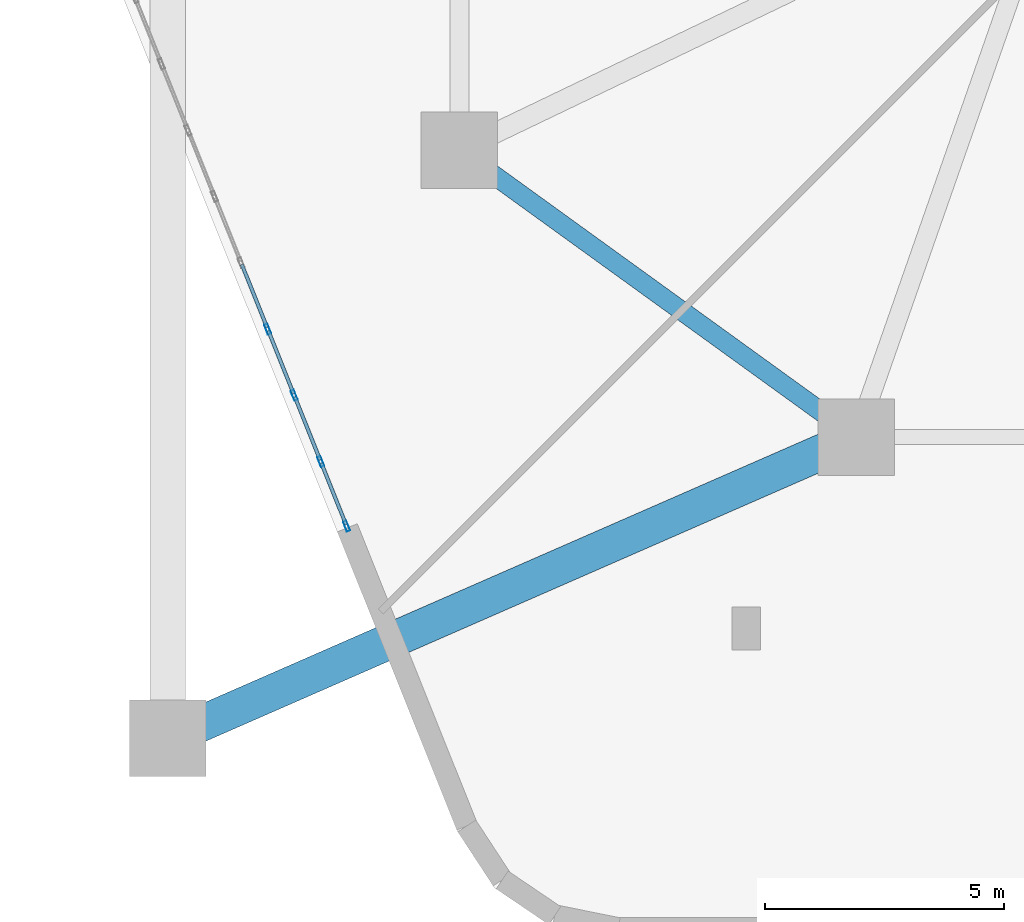
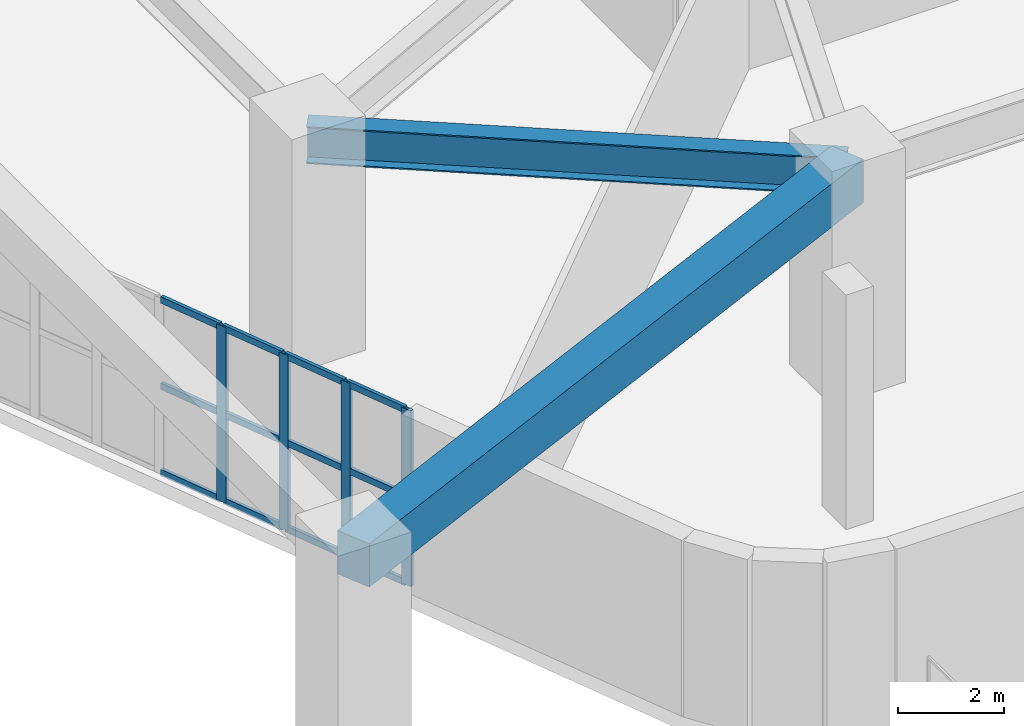
# One storey, part 2 of 34: 16 members, 2 beams, 1 element without a shape of its own.
"""IFC4 building model written with IfcOpenShell, lengths in metres."""

import ifcopenshell
import ifcopenshell.guid

model = None  # the IFC model being written
_history = None  # IfcOwnerHistory: only IFC2X3 demands one
_inside = {}  # id of a spatial element -> (the spatial element, [elements in it])
_under = {}  # id of a project, library or spatial element -> (it, [spatial elements below it])
_declared = {}  # id of a project -> (the project, [libraries it declares])
_typed = {}  # id of a type object -> (the type object, [elements of that type])
_made_of = {}  # id of a material, layer set ... -> (it, [elements and type objects made of it])


def new_model(schema):
    """Start an empty IFC model of exactly this schema.

    Asked for "IFC4X3", IfcOpenShell would pick the latest addendum, in which some entities
    have other attributes; the version numbers below select the first issue.
    IFC2X3 requires an IfcOwnerHistory on every rooted entity: one is made here for all.
    """
    global model, _history
    if schema == "IFC4X3":
        model = ifcopenshell.file(schema_version=(4, 3, 0, 0))
    else:
        model = ifcopenshell.file(schema=schema)
    _inside.clear()
    _under.clear()
    _declared.clear()
    _typed.clear()
    _made_of.clear()
    _history = None
    if model.schema == "IFC2X3":
        org = make("IfcOrganization", Name="unknown")
        user = make(
            "IfcPersonAndOrganization",
            ThePerson=make("IfcPerson", FamilyName="unknown"),
            TheOrganization=org,
        )
        app = make(
            "IfcApplication",
            ApplicationDeveloper=org,
            Version="unknown",
            ApplicationFullName="unknown",
            ApplicationIdentifier="unknown",
        )
        _history = make(
            "IfcOwnerHistory",
            OwningUser=user,
            OwningApplication=app,
            ChangeAction="ADDED",
            CreationDate=0,
        )
    return model


def make(cls, **values):
    """One entity of the class cls with the attributes given. An attribute that is None is left unset."""
    return model.create_entity(
        cls, **{name: value for name, value in values.items() if value is not None}
    )


def rooted(cls, **values):
    """An entity with a GlobalId (a new one), such as an element, a storey or a relation."""
    return make(cls, GlobalId=ifcopenshell.guid.new(), OwnerHistory=_history, **values)


def si_unit(unit_type, name, prefix=None):
    """IfcSIUnit, for example si_unit("LENGTHUNIT", "METRE", prefix="MILLI")."""
    return make("IfcSIUnit", UnitType=unit_type, Prefix=prefix, Name=name)


def assignment(units):
    """IfcUnitAssignment: the units of a project."""
    return None if units is None else make("IfcUnitAssignment", Units=units)


def point(xyz):
    """IfcCartesianPoint."""
    return None if xyz is None else make("IfcCartesianPoint", Coordinates=xyz)


def direction(xyz):
    """IfcDirection."""
    return None if xyz is None else make("IfcDirection", DirectionRatios=xyz)


def frame(location, z_axis=None, x_axis=None):
    """IfcAxis2Placement3D, a coordinate frame: its origin and axes. An axis left out is left unset."""
    return make(
        "IfcAxis2Placement3D",
        Location=point(location),
        Axis=direction(z_axis),
        RefDirection=direction(x_axis),
    )


def frame_2d(location, x_axis=None):
    """IfcAxis2Placement2D, a coordinate frame in the plane: its origin and x axis."""
    return make(
        "IfcAxis2Placement2D", Location=point(location), RefDirection=direction(x_axis)
    )


def origin():
    """The frame at (0, 0, 0) with its axes left unset."""
    return frame((0.0, 0.0, 0.0))


def origin_2d():
    """The frame at (0, 0) in the plane with its x axis left unset."""
    return frame_2d((0.0, 0.0))


def place(relative_to, where):
    """IfcLocalPlacement: puts the frame where relative to a parent placement (None: the world)."""
    return make(
        "IfcLocalPlacement", PlacementRelTo=relative_to, RelativePlacement=where
    )


def context(
    kind, dimensions, precision=None, world=None, true_north=None, identifier=None
):
    """IfcGeometricRepresentationContext, for example the 3D "Model" context."""
    return make(
        "IfcGeometricRepresentationContext",
        ContextIdentifier=identifier,
        ContextType=kind,
        CoordinateSpaceDimension=dimensions,
        Precision=precision,
        WorldCoordinateSystem=world,
        TrueNorth=true_north,
    )


def subcontext(parent, identifier, kind, view, scale=None):
    """IfcGeometricRepresentationSubContext, for example "Body" below "Model"."""
    return make(
        "IfcGeometricRepresentationSubContext",
        ContextIdentifier=identifier,
        ContextType=kind,
        ParentContext=parent,
        TargetScale=scale,
        TargetView=view,
    )


def project(units=None, contexts=None):
    """IfcProject with its units and contexts."""
    return rooted(
        "IfcProject",
        Name="project",
        RepresentationContexts=contexts,
        UnitsInContext=assignment(units),
    )


def spatial(cls, under=None, at=None, **own):
    """A site, building, storey or space (cls), placed at a placement, below another one or the project."""
    s = rooted(cls, ObjectPlacement=at, **own)
    if under is not None:
        _under.setdefault(under.id(), (under, []))[1].append(s)
    return s


def profile(cls, at=None, kind="AREA", **sizes):
    """A parametric profile (cls). Its sizes go by their IFC names, for example OverallWidth=200.0."""
    return make(cls, ProfileType=kind, Position=at, **sizes)


def rectangle(**sizes):
    """IfcRectangleProfileDef."""
    return profile("IfcRectangleProfileDef", **sizes)


def hollow_rectangle(**sizes):
    """IfcRectangleHollowProfileDef."""
    return profile("IfcRectangleHollowProfileDef", **sizes)


def i_section(**sizes):
    """IfcIShapeProfileDef."""
    return profile("IfcIShapeProfileDef", **sizes)


def extrude(swept, where, along, depth):
    """IfcExtrudedAreaSolid: the profile swept, set in the frame where, extruded along a direction by depth."""
    return make(
        "IfcExtrudedAreaSolid",
        SweptArea=swept,
        Position=where,
        ExtrudedDirection=direction(along),
        Depth=depth,
    )


def shape(context_of_items, identifier, shape_type, items):
    """IfcShapeRepresentation: the items that make up one representation, for example the "Body"."""
    return make(
        "IfcShapeRepresentation",
        ContextOfItems=context_of_items,
        RepresentationIdentifier=identifier,
        RepresentationType=shape_type,
        Items=items,
    )


def material(Name=None, Category=None):
    """IfcMaterial."""
    return make("IfcMaterial", Name=Name, Category=Category)


def layer(
    of_material, thickness, ventilated=None, Name=None, Category=None, Priority=None
):
    """IfcMaterialLayer: one layer of a wall or slab, of a material (None: an air gap)."""
    return make(
        "IfcMaterialLayer",
        Material=of_material,
        LayerThickness=thickness,
        IsVentilated=ventilated,
        Name=Name,
        Category=Category,
        Priority=Priority,
    )


def layer_set(layers, Name=None):
    """IfcMaterialLayerSet."""
    return make("IfcMaterialLayerSet", MaterialLayers=layers, LayerSetName=Name)


def material_profile(
    of_material, cross_section, Name=None, Category=None, Priority=None
):
    """IfcMaterialProfile: a cross section and its material."""
    return make(
        "IfcMaterialProfile",
        Name=Name,
        Material=of_material,
        Profile=cross_section,
        Priority=Priority,
        Category=Category,
    )


def profile_set(profiles, Name=None, composite=None):
    """IfcMaterialProfileSet."""
    return make(
        "IfcMaterialProfileSet",
        Name=Name,
        MaterialProfiles=profiles,
        CompositeProfile=composite,
    )


def made_of(thing, what):
    """Note that an element or type object is made of a material, layer set ...; save() writes the relation."""
    if what is not None:
        _made_of.setdefault(what.id(), (what, []))[1].append(thing)
    return thing


def type_object(cls, material=None, **own):
    """A type object (cls), such as IfcWallType, which elements share."""
    return made_of(rooted(cls, **own), material)


def element(
    cls,
    number,
    at=None,
    inside=None,
    cuts=None,
    type_object=None,
    material=None,
    context=None,
    identifier="Body",
    shape_type=None,
    held_by="IfcProductDefinitionShape",
    body=None,
    shapes=None,
    **own,
):
    """One element of the class cls, such as IfcWall. Its Tag is "e" and its number.

    at: its placement. inside: the storey or other place that contains it. cuts: it is an
    opening in that element (IfcRelVoidsElement). A single representation is given by context,
    identifier, shape_type and body (its items); several are given by shapes. held_by: the class
    of the entity that holds the representations. save() writes the other relations.
    """
    e = rooted(cls, Tag="e%d" % number, ObjectPlacement=at, **own)
    if body is not None:
        shapes = [shape(context, identifier, shape_type, body)]
    if shapes is not None:
        e.Representation = make(held_by, Representations=shapes)
    if inside is not None:
        _inside.setdefault(inside.id(), (inside, []))[1].append(e)
    if cuts is not None:
        rooted(
            "IfcRelVoidsElement", RelatingBuildingElement=cuts, RelatedOpeningElement=e
        )
    if type_object is not None:
        _typed.setdefault(type_object.id(), (type_object, []))[1].append(e)
    return made_of(e, material)


def aggregate(whole, parts):
    """IfcRelAggregates: a whole, such as a stair, and the parts it consists of."""
    return rooted("IfcRelAggregates", RelatingObject=whole, RelatedObjects=parts)


def save(model, path):
    """Write the relations noted so far, then the file.

    IfcRelAggregates (storeys below a building ...), IfcRelContainedInSpatialStructure (elements
    in a storey), IfcRelDefinesByType, IfcRelAssociatesMaterial and IfcRelDeclares: one each for
    every whole, place, type object, material and project.
    """
    for whole, parts in _under.values():
        aggregate(whole, parts)
    for where, things in _inside.values():
        rooted(
            "IfcRelContainedInSpatialStructure",
            RelatedElements=things,
            RelatingStructure=where,
        )
    for kind, things in _typed.values():
        rooted("IfcRelDefinesByType", RelatedObjects=things, RelatingType=kind)
    for what, things in _made_of.values():
        rooted("IfcRelAssociatesMaterial", RelatedObjects=things, RelatingMaterial=what)
    for by, libraries in _declared.values():
        rooted("IfcRelDeclares", RelatingContext=by, RelatedDefinitions=libraries)
    model.write(path)


model = new_model("IFC4")

# Units and contexts
model_context = context("Model", 3, precision=1e-05, world=origin(), true_north=direction((0.0, 1.0)))
body_context = subcontext(model_context, "Body", "Model", "MODEL_VIEW")
ifc_project = project(units=[si_unit("LENGTHUNIT", "METRE"), si_unit("AREAUNIT", "SQUARE_METRE"), si_unit("VOLUMEUNIT", "CUBIC_METRE"), si_unit("PLANEANGLEUNIT", "RADIAN"), si_unit("MASSUNIT", "GRAM", prefix="KILO")], contexts=[model_context])

# Site, building, storey
site_placement = place(None, origin())
site = spatial("IfcSite", under=ifc_project, at=site_placement, CompositionType="ELEMENT")
building_placement = place(site_placement, origin())
building = spatial("IfcBuilding", under=site, at=building_placement, Name="Kilnhurst Terrace Hotel", CompositionType="ELEMENT")
storey_placement = place(building_placement, frame((0.0, 0.0, 6.0)))
storey = spatial("IfcBuildingStorey", under=building, at=storey_placement, Name="L01", CompositionType="ELEMENT", Elevation=6.0)

# Beam
ifc_material_1 = material(Name="Steel ASTM A992 Grade 50", Category="steel")
ifc_material_profile_1 = material_profile(ifc_material_1, i_section(OverallWidth=0.39990234375, OverallDepth=0.85546875, WebThickness=0.018310546875, FlangeThickness=0.029296875, at=origin_2d()), Name="W33X201")
ifc_profile_set_1 = profile_set([ifc_material_profile_1], Name="Steel ASTM A992 Grade 50")
beam_type_1 = type_object("IfcBeamType", Name="BM-STL-W33X201", PredefinedType="BEAM", material=ifc_profile_set_1)
beam_1_placement = place(storey_placement, frame((-21.5, -13.5, 4.652099609375), z_axis=(0.810423314702, -0.585844732833, 0.0), x_axis=(0.585844732833, 0.810423314702, 0.0)))
element("IfcBeam", 1, at=beam_1_placement, inside=storey, type_object=beam_type_1, Name="L01 Podium Frame Beam 17", PredefinedType="BEAM", context=body_context, shape_type="SweptSolid", body=[
    extrude(i_section(OverallWidth=0.39990234375, OverallDepth=0.85546875, WebThickness=0.018310546875, FlangeThickness=0.029296875, at=origin_2d()), origin(), (0.0, 0.0, 1.0), 10.24169921875),
])

# Curtain wall, members
ifc_material_2 = material(Name="Anodized Aluminium Alloy 6063-T6 and Low-E Glass", Category="aluminium")
ifc_layer = layer(ifc_material_2, 0.219970703125, Name="Anodized Aluminium Alloy 6063-T6 and Low-E Glass")
ifc_layer_set = layer_set([ifc_layer], Name="Anodized Aluminium Alloy 6063-T6 and Low-E Glass")
curtain_wall_type = type_object("IfcCurtainWallType", Name="CW-POD-LOBBY", PredefinedType="NOTDEFINED", material=ifc_layer_set)
curtain_wall_placement = place(storey_placement, origin())
curtain_wall = element("IfcCurtainWall", 2, at=curtain_wall_placement, inside=storey, type_object=curtain_wall_type, Name="L01 Curtain Wall CW-L01-F6-1", PredefinedType="NOTDEFINED")
ifc_material_3 = material(Name="Extruded Aluminium Alloy 6063-T6", Category="aluminium")
ifc_material_profile_2 = material_profile(ifc_material_3, hollow_rectangle(XDim=0.074951171875, YDim=0.219970703125, WallThickness=0.00390625, at=origin_2d()), Name="CWM75X220")
ifc_profile_set_2 = profile_set([ifc_material_profile_2], Name="Extruded Aluminium Alloy 6063-T6")
member_type_1 = type_object("IfcMemberType", Name="MEM-CWM75X220", PredefinedType="MULLION", material=ifc_profile_set_2)
member_1_placement = place(storey_placement, frame((-25.51025390625, -17.240966796875, 0.0), z_axis=(0.0, 0.0, 1.0), x_axis=(0.928250672463, 0.371955224552, 0.0)))
member_1 = element("IfcMember", 3, at=member_1_placement, type_object=member_type_1, Name="CWL-1 mullion 7", PredefinedType="MULLION", context=body_context, shape_type="SweptSolid", body=[
    extrude(hollow_rectangle(XDim=0.074951171875, YDim=0.219970703125, WallThickness=0.00390625, at=origin_2d()), origin(), (0.0, 0.0, 1.0), 4.050048828125),
])
member_2_placement = place(storey_placement, frame((-24.955078125, -18.626708984375, 0.0), z_axis=(0.0, 0.0, 1.0), x_axis=(0.928250672463, 0.371955224552, 0.0)))
member_2 = element("IfcMember", 4, at=member_2_placement, type_object=member_type_1, Name="CWL-1 mullion 8", PredefinedType="MULLION", context=body_context, shape_type="SweptSolid", body=[
    extrude(hollow_rectangle(XDim=0.074951171875, YDim=0.219970703125, WallThickness=0.00390625, at=origin_2d()), origin(), (0.0, 0.0, 1.0), 4.050048828125),
])
member_3_placement = place(storey_placement, frame((-24.399658203125, -20.012451171875, 0.0), z_axis=(0.0, 0.0, 1.0), x_axis=(0.928250672463, 0.371955224552, 0.0)))
member_3 = element("IfcMember", 5, at=member_3_placement, type_object=member_type_1, Name="CWL-1 mullion 9", PredefinedType="MULLION", context=body_context, shape_type="SweptSolid", body=[
    extrude(hollow_rectangle(XDim=0.074951171875, YDim=0.219970703125, WallThickness=0.00390625, at=origin_2d()), origin(), (0.0, 0.0, 1.0), 4.050048828125),
])
member_4_placement = place(storey_placement, frame((-23.8583984375, -21.363525390625, 0.0), z_axis=(0.0, 0.0, 1.0), x_axis=(0.928250672463, 0.371955224552, 0.0)))
member_4 = element("IfcMember", 6, at=member_4_placement, type_object=member_type_1, Name="CWL-1 mullion 10", PredefinedType="MULLION", context=body_context, shape_type="SweptSolid", body=[
    extrude(hollow_rectangle(XDim=0.074951171875, YDim=0.219970703125, WallThickness=0.00390625, at=origin_2d()), origin(), (0.0, 0.0, 1.0), 4.050048828125),
])
ifc_material_profile_3 = material_profile(ifc_material_3, hollow_rectangle(XDim=0.074951171875, YDim=0.14990234375, WallThickness=0.00390625, at=origin_2d()), Name="CWT75X150")
ifc_profile_set_3 = profile_set([ifc_material_profile_3], Name="Extruded Aluminium Alloy 6063-T6")
member_type_2 = type_object("IfcMemberType", Name="MEM-CWT75X150", PredefinedType="USERDEFINED", material=ifc_profile_set_3)
member_5_placement = place(storey_placement, frame((-26.051513671875, -15.889892578125, 0.03759765625), z_axis=(0.371924989829, -0.928262787114, 0.0), x_axis=(0.928262787114, 0.371924989829, 0.0)))
member_5 = element("IfcMember", 7, at=member_5_placement, type_object=member_type_2, Name="CWL-1 transom 6.1", ObjectType="TRANSOM", PredefinedType="USERDEFINED", context=body_context, shape_type="SweptSolid", body=[
    extrude(hollow_rectangle(XDim=0.074951171875, YDim=0.14990234375, WallThickness=0.00390625, at=origin_2d()), origin(), (0.0, 0.0, 1.0), 1.41796875),
])
member_6_placement = place(storey_placement, frame((-26.051513671875, -15.889892578125, 2.02490234375), z_axis=(0.371924989829, -0.928262787114, 0.0), x_axis=(0.928262787114, 0.371924989829, 0.0)))
member_6 = element("IfcMember", 8, at=member_6_placement, type_object=member_type_2, Name="CWL-1 transom 6.2", ObjectType="TRANSOM", PredefinedType="USERDEFINED", context=body_context, shape_type="SweptSolid", body=[
    extrude(hollow_rectangle(XDim=0.074951171875, YDim=0.14990234375, WallThickness=0.00390625, at=origin_2d()), origin(), (0.0, 0.0, 1.0), 1.41796875),
])
member_7_placement = place(storey_placement, frame((-26.051513671875, -15.889892578125, 4.012451171875), z_axis=(0.371924989829, -0.928262787114, 0.0), x_axis=(0.928262787114, 0.371924989829, 0.0)))
member_7 = element("IfcMember", 9, at=member_7_placement, type_object=member_type_2, Name="CWL-1 transom 6.3", ObjectType="TRANSOM", PredefinedType="USERDEFINED", context=body_context, shape_type="SweptSolid", body=[
    extrude(hollow_rectangle(XDim=0.074951171875, YDim=0.14990234375, WallThickness=0.00390625, at=origin_2d()), origin(), (0.0, 0.0, 1.0), 1.41796875),
])
member_8_placement = place(storey_placement, frame((-25.496337890625, -17.27587890625, 0.03759765625), z_axis=(0.371924989829, -0.928262787114, 0.0), x_axis=(0.928262787114, 0.371924989829, 0.0)))
member_8 = element("IfcMember", 10, at=member_8_placement, type_object=member_type_2, Name="CWL-1 transom 7.1", ObjectType="TRANSOM", PredefinedType="USERDEFINED", context=body_context, shape_type="SweptSolid", body=[
    extrude(hollow_rectangle(XDim=0.074951171875, YDim=0.14990234375, WallThickness=0.00390625, at=origin_2d()), origin(), (0.0, 0.0, 1.0), 1.41796875),
])
member_9_placement = place(storey_placement, frame((-25.496337890625, -17.27587890625, 2.02490234375), z_axis=(0.371924989829, -0.928262787114, 0.0), x_axis=(0.928262787114, 0.371924989829, 0.0)))
member_9 = element("IfcMember", 11, at=member_9_placement, type_object=member_type_2, Name="CWL-1 transom 7.2", ObjectType="TRANSOM", PredefinedType="USERDEFINED", context=body_context, shape_type="SweptSolid", body=[
    extrude(hollow_rectangle(XDim=0.074951171875, YDim=0.14990234375, WallThickness=0.00390625, at=origin_2d()), origin(), (0.0, 0.0, 1.0), 1.41796875),
])
member_10_placement = place(storey_placement, frame((-25.496337890625, -17.27587890625, 4.012451171875), z_axis=(0.371924989829, -0.928262787114, 0.0), x_axis=(0.928262787114, 0.371924989829, 0.0)))
member_10 = element("IfcMember", 12, at=member_10_placement, type_object=member_type_2, Name="CWL-1 transom 7.3", ObjectType="TRANSOM", PredefinedType="USERDEFINED", context=body_context, shape_type="SweptSolid", body=[
    extrude(hollow_rectangle(XDim=0.074951171875, YDim=0.14990234375, WallThickness=0.00390625, at=origin_2d()), origin(), (0.0, 0.0, 1.0), 1.41796875),
])
member_11_placement = place(storey_placement, frame((-24.94091796875, -18.66162109375, 0.03759765625), z_axis=(0.371924989829, -0.928262787114, 0.0), x_axis=(0.928262787114, 0.371924989829, 0.0)))
member_11 = element("IfcMember", 13, at=member_11_placement, type_object=member_type_2, Name="CWL-1 transom 8.1", ObjectType="TRANSOM", PredefinedType="USERDEFINED", context=body_context, shape_type="SweptSolid", body=[
    extrude(hollow_rectangle(XDim=0.074951171875, YDim=0.14990234375, WallThickness=0.00390625, at=origin_2d()), origin(), (0.0, 0.0, 1.0), 1.41796875),
])
member_12_placement = place(storey_placement, frame((-24.94091796875, -18.66162109375, 2.02490234375), z_axis=(0.371924989829, -0.928262787114, 0.0), x_axis=(0.928262787114, 0.371924989829, 0.0)))
member_12 = element("IfcMember", 14, at=member_12_placement, type_object=member_type_2, Name="CWL-1 transom 8.2", ObjectType="TRANSOM", PredefinedType="USERDEFINED", context=body_context, shape_type="SweptSolid", body=[
    extrude(hollow_rectangle(XDim=0.074951171875, YDim=0.14990234375, WallThickness=0.00390625, at=origin_2d()), origin(), (0.0, 0.0, 1.0), 1.41796875),
])
member_13_placement = place(storey_placement, frame((-24.94091796875, -18.66162109375, 4.012451171875), z_axis=(0.371924989829, -0.928262787114, 0.0), x_axis=(0.928262787114, 0.371924989829, 0.0)))
member_13 = element("IfcMember", 15, at=member_13_placement, type_object=member_type_2, Name="CWL-1 transom 8.3", ObjectType="TRANSOM", PredefinedType="USERDEFINED", context=body_context, shape_type="SweptSolid", body=[
    extrude(hollow_rectangle(XDim=0.074951171875, YDim=0.14990234375, WallThickness=0.00390625, at=origin_2d()), origin(), (0.0, 0.0, 1.0), 1.41796875),
])
member_14_placement = place(storey_placement, frame((-24.3857421875, -20.04736328125, 0.03759765625), z_axis=(0.371970025099, -0.928244741664, 0.0), x_axis=(0.928244741664, 0.371970025099, 0.0)))
member_14 = element("IfcMember", 16, at=member_14_placement, type_object=member_type_2, Name="CWL-1 transom 9.1", ObjectType="TRANSOM", PredefinedType="USERDEFINED", context=body_context, shape_type="SweptSolid", body=[
    extrude(hollow_rectangle(XDim=0.074951171875, YDim=0.14990234375, WallThickness=0.00390625, at=origin_2d()), origin(), (0.0, 0.0, 1.0), 1.38037109375),
])
member_15_placement = place(storey_placement, frame((-24.3857421875, -20.04736328125, 2.02490234375), z_axis=(0.371970025099, -0.928244741664, 0.0), x_axis=(0.928244741664, 0.371970025099, 0.0)))
member_15 = element("IfcMember", 17, at=member_15_placement, type_object=member_type_2, Name="CWL-1 transom 9.2", ObjectType="TRANSOM", PredefinedType="USERDEFINED", context=body_context, shape_type="SweptSolid", body=[
    extrude(hollow_rectangle(XDim=0.074951171875, YDim=0.14990234375, WallThickness=0.00390625, at=origin_2d()), origin(), (0.0, 0.0, 1.0), 1.38037109375),
])
member_16_placement = place(storey_placement, frame((-24.3857421875, -20.04736328125, 4.012451171875), z_axis=(0.371970025099, -0.928244741664, 0.0), x_axis=(0.928244741664, 0.371970025099, 0.0)))
member_16 = element("IfcMember", 18, at=member_16_placement, type_object=member_type_2, Name="CWL-1 transom 9.3", ObjectType="TRANSOM", PredefinedType="USERDEFINED", context=body_context, shape_type="SweptSolid", body=[
    extrude(hollow_rectangle(XDim=0.074951171875, YDim=0.14990234375, WallThickness=0.00390625, at=origin_2d()), origin(), (0.0, 0.0, 1.0), 1.38037109375),
])
aggregate(curtain_wall, [member_1, member_2, member_3, member_4, member_5, member_6, member_7, member_8, member_9, member_10, member_11, member_12, member_13, member_14, member_15, member_16])

# Beam
ifc_material_4 = material(Name="Concrete C50/60", Category="concrete")
ifc_material_profile_4 = material_profile(ifc_material_4, rectangle(XDim=0.75, YDim=1.0, at=origin_2d()), Name="RC750X1000")
ifc_profile_set_4 = profile_set([ifc_material_profile_4], Name="Concrete C50/60")
beam_type_2 = type_object("IfcBeamType", Name="TBM-GAR-750X1000", PredefinedType="T_BEAM", material=ifc_profile_set_4)
beam_2_placement = place(storey_placement, frame((-27.60009765625, -25.800048828125, 4.580078125), z_axis=(0.916157691387, 0.400818019196, 0.0), x_axis=(-0.400818019196, 0.916157691387, 0.0)))
element("IfcBeam", 19, at=beam_2_placement, inside=storey, type_object=beam_type_2, Name="L01 Outer Ring Tee Beam 9", PredefinedType="T_BEAM", context=body_context, shape_type="SweptSolid", body=[
    extrude(rectangle(XDim=0.75, YDim=1.0, at=origin_2d()), origin(), (0.0, 0.0, 1.0), 15.718017578125),
])

save(model, "model.ifc")
